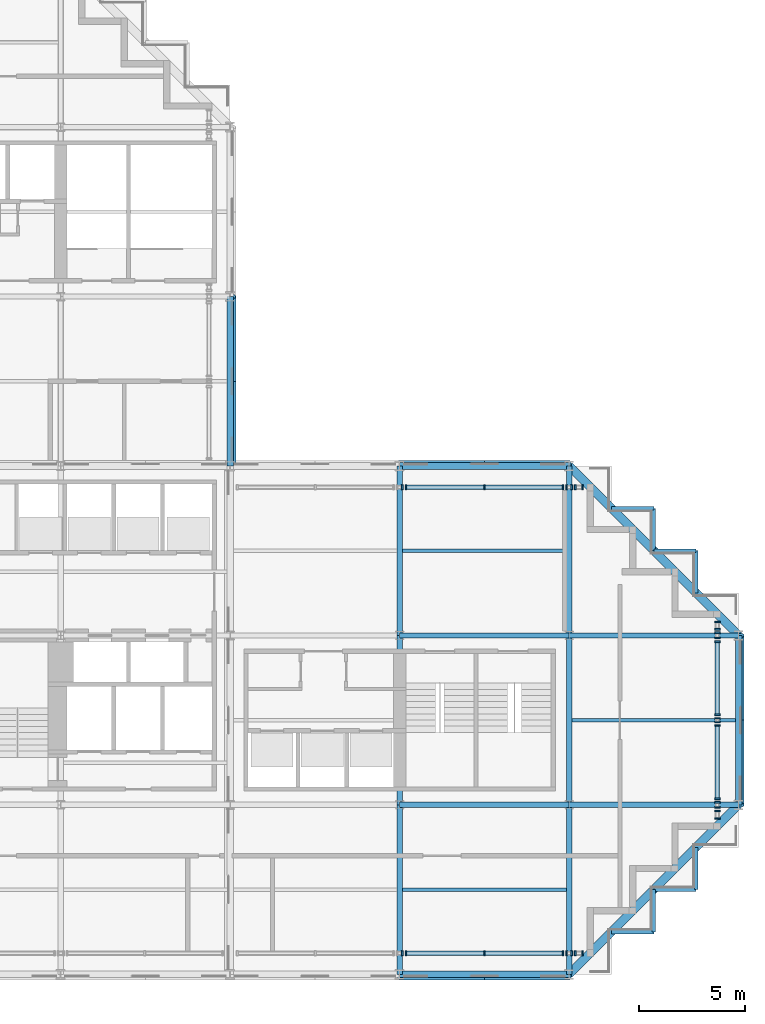
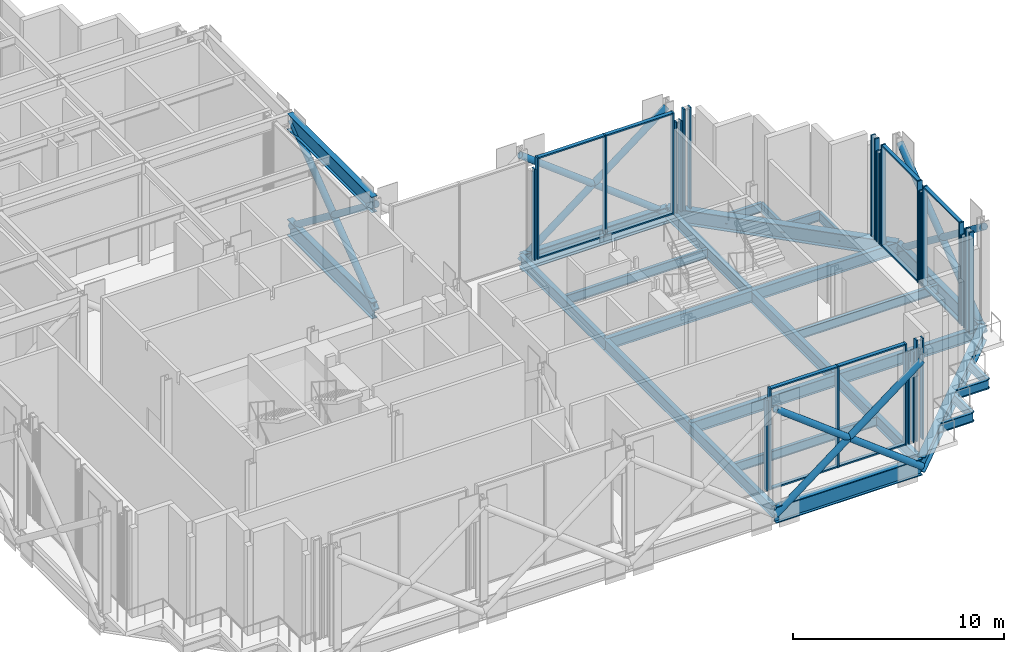
# One storey, part 4 of 23: 50 members, 28 beams, 15 elements without a shape of their own.
"""IFC4 building model written with IfcOpenShell, lengths in metres."""

from ifc_helpers import new_model, si_unit, direction, frame, origin, origin_2d, place, context, subcontext, project, spatial, rectangle, hollow_circle, i_section, extrude, material, material_profile, profile_set, type_object, element, aggregate, save


model = new_model("IFC4")

# Units and contexts
model_context = context("Model", 3, precision=1e-05, world=origin(), true_north=direction((0.0, 1.0)))
body_context = subcontext(model_context, "Body", "Model", "MODEL_VIEW")
ifc_project = project(units=[si_unit("LENGTHUNIT", "METRE"), si_unit("AREAUNIT", "SQUARE_METRE"), si_unit("VOLUMEUNIT", "CUBIC_METRE"), si_unit("PLANEANGLEUNIT", "RADIAN"), si_unit("MASSUNIT", "GRAM", prefix="KILO")], contexts=[model_context])

# Site, building, storey
site_placement = place(None, origin())
site = spatial("IfcSite", under=ifc_project, at=site_placement, CompositionType="ELEMENT")
building_placement = place(site_placement, origin())
building = spatial("IfcBuilding", under=site, at=building_placement, Name="Immortelle Media Tower", CompositionType="ELEMENT")
storey_placement = place(building_placement, frame((0.0, 0.0, 183.0)))
storey = spatial("IfcBuildingStorey", under=building, at=storey_placement, Name="L38", CompositionType="ELEMENT", Elevation=183.0)

# Members
ifc_material_1 = material(Name="Steel ASTM A500 Gr C", Category="steel")
ifc_material_profile_1 = material_profile(ifc_material_1, hollow_circle(Radius=0.177978515625, WallThickness=0.011962890625, at=origin_2d()), Name="HSS14.000x0.500 truss diagonal")
ifc_profile_set_1 = profile_set([ifc_material_profile_1], Name="Steel ASTM A500 Gr C")
member_type_1 = type_object("IfcMemberType", Name="HSS14.000x0.500 truss diagonal", PredefinedType="BRACE", material=ifc_profile_set_1)
for number, where, z_axis, x_axis, name in (
    (1, (24.087890625, 24.0, -0.72509765625), (0.0, 0.794333061913, 0.607482499132), (-1.0, 0.0, 0.0), "Belt truss 4/D-E A"),
    (2, (24.087890625, 24.0, 5.39306640625), (0.0, 0.794333061913, -0.607482499132), (-1.0, 0.0, 0.0), "Belt truss 4/D-E B"),
    (3, (32.0, -0.087890625, -0.72509765625), (0.794333061913, 0.0, 0.607482499132), (0.0, 1.0, 0.0), "Belt truss A/5-6 A"),
    (4, (32.0, -0.087890625, 5.39306640625), (0.794333061913, 0.0, -0.607482499132), (0.0, 1.0, 0.0), "Belt truss A/5-6 B"),
    (5, (32.0, 24.087890625, -0.72509765625), (0.794333061913, 0.0, 0.607482499132), (0.0, 1.0, 0.0), "Belt truss D/5-6 A"),
    (6, (32.0, 24.087890625, 5.39306640625), (0.794333061913, 0.0, -0.607482499132), (0.0, 1.0, 0.0), "Belt truss D/5-6 B"),
    (7, (48.087890625, 8.0, -0.72509765625), (0.0, 0.794333061913, 0.607482499132), (-1.0, 0.0, 0.0), "Belt truss 7/B-C A"),
    (8, (48.087890625, 8.0, 5.39306640625), (0.0, 0.794333061913, -0.607482499132), (-1.0, 0.0, 0.0), "Belt truss 7/B-C B"),
):
    element("IfcMember", number, at=place(storey_placement, frame(where, z_axis=z_axis, x_axis=x_axis)), inside=storey, type_object=member_type_1, Name=name, PredefinedType="BRACE", context=body_context, shape_type="SweptSolid", body=[
        extrude(hollow_circle(Radius=0.177978515625, WallThickness=0.011962890625, at=origin_2d()), origin(), (0.0, 0.0, 1.0), 10.0712890625),
    ])

# Curtain wall, member
ifc_material_2 = material(Name="Aluminium curtain wall system", Category="aluminium")
curtain_wall_type = type_object("IfcCurtainWallType", Name="Plant louvre wall curtain wall", PredefinedType="NOTDEFINED", material=ifc_material_2)
curtain_wall_1_placement = place(storey_placement, origin())
curtain_wall_1 = element("IfcCurtainWall", 9, at=curtain_wall_1_placement, inside=storey, type_object=curtain_wall_type, Name="Plant louvre wall L38 S 7-8", PredefinedType="NOTDEFINED")
ifc_material_3 = material(Name="Aluminium 6063-T6", Category="aluminium")
ifc_material_profile_2 = material_profile(ifc_material_3, rectangle(XDim=0.25, YDim=0.080078125, at=origin_2d()), Name="AL 80x250")
ifc_profile_set_2 = profile_set([ifc_material_profile_2], Name="Aluminium 6063-T6")
member_type_2 = type_object("IfcMemberType", Name="Plant louvre wall mullion 80 x 250", PredefinedType="MULLION", material=ifc_profile_set_2)
member_1_placement = place(storey_placement, frame((32.1240234375, 1.0, 0.0), z_axis=(0.0, 0.0, 1.0), x_axis=(0.0, 1.0, 0.0)))
member_1 = element("IfcMember", 10, at=member_1_placement, type_object=member_type_2, Name="CW6 mullion 2", PredefinedType="MULLION", context=body_context, shape_type="SweptSolid", body=[
    extrude(rectangle(XDim=0.25, YDim=0.080078125, at=origin_2d()), origin(), (0.0, 0.0, 1.0), 5.24755859375),
])
aggregate(curtain_wall_1, [member_1])

# Curtain wall, members
curtain_wall_2_placement = place(storey_placement, origin())
curtain_wall_2 = element("IfcCurtainWall", 11, at=curtain_wall_2_placement, inside=storey, type_object=curtain_wall_type, Name="Plant louvre wall L38 S 7-9", PredefinedType="NOTDEFINED")
member_2_placement = place(storey_placement, frame((32.2939453125, 1.0, 0.0), z_axis=(0.0, 0.0, 1.0), x_axis=(0.0, 1.0, 0.0)))
member_2 = element("IfcMember", 12, at=member_2_placement, type_object=member_type_2, Name="CW6 mullion 1", PredefinedType="MULLION", context=body_context, shape_type="SweptSolid", body=[
    extrude(rectangle(XDim=0.25, YDim=0.080078125, at=origin_2d()), origin(), (0.0, 0.0, 1.0), 5.849609375),
])
member_3_placement = place(storey_placement, frame((36.0, 1.0, 0.0), z_axis=(0.0, 0.0, 1.0), x_axis=(0.0, 1.0, 0.0)))
member_3 = element("IfcMember", 13, at=member_3_placement, type_object=member_type_2, Name="CW6 mullion 2", PredefinedType="MULLION", context=body_context, shape_type="SweptSolid", body=[
    extrude(rectangle(XDim=0.25, YDim=0.080078125, at=origin_2d()), origin(), (0.0, 0.0, 1.0), 5.849609375),
])
member_4_placement = place(storey_placement, frame((39.7060546875, 1.0, 0.0), z_axis=(0.0, 0.0, 1.0), x_axis=(0.0, 1.0, 0.0)))
member_4 = element("IfcMember", 14, at=member_4_placement, type_object=member_type_2, Name="CW6 mullion 3", PredefinedType="MULLION", context=body_context, shape_type="SweptSolid", body=[
    extrude(rectangle(XDim=0.25, YDim=0.080078125, at=origin_2d()), origin(), (0.0, 0.0, 1.0), 5.849609375),
])

curtain_wall_3_placement = place(storey_placement, origin())
curtain_wall_3 = element("IfcCurtainWall", 15, at=curtain_wall_3_placement, inside=storey, type_object=curtain_wall_type, Name="Plant louvre wall L38 S 7-10", PredefinedType="NOTDEFINED")
member_5_placement = place(storey_placement, frame((39.8759765625, 1.0, 0.0), z_axis=(0.0, 0.0, 1.0), x_axis=(0.0, 1.0, 0.0)))
member_5 = element("IfcMember", 16, at=member_5_placement, type_object=member_type_2, Name="CW6 mullion 1", PredefinedType="MULLION", context=body_context, shape_type="SweptSolid", body=[
    extrude(rectangle(XDim=0.25, YDim=0.080078125, at=origin_2d()), origin(), (0.0, 0.0, 1.0), 5.24755859375),
])
member_6_placement = place(storey_placement, frame((40.1240234375, 1.0, 0.0), z_axis=(0.0, 0.0, 1.0), x_axis=(0.0, 1.0, 0.0)))
member_6 = element("IfcMember", 17, at=member_6_placement, type_object=member_type_2, Name="CW6 mullion 2", PredefinedType="MULLION", context=body_context, shape_type="SweptSolid", body=[
    extrude(rectangle(XDim=0.25, YDim=0.080078125, at=origin_2d()), origin(), (0.0, 0.0, 1.0), 5.24755859375),
])
aggregate(curtain_wall_3, [member_5, member_6])

curtain_wall_4_placement = place(storey_placement, origin())
curtain_wall_4 = element("IfcCurtainWall", 18, at=curtain_wall_4_placement, inside=storey, type_object=curtain_wall_type, Name="Plant louvre wall L38 S 7-11", PredefinedType="NOTDEFINED")
member_7_placement = place(storey_placement, frame((40.2939453125, 1.0, 0.0), z_axis=(0.0, 0.0, 1.0), x_axis=(0.0, 1.0, 0.0)))
member_7 = element("IfcMember", 19, at=member_7_placement, type_object=member_type_2, Name="CW6 mullion 1", PredefinedType="MULLION", context=body_context, shape_type="SweptSolid", body=[
    extrude(rectangle(XDim=0.25, YDim=0.080078125, at=origin_2d()), origin(), (0.0, 0.0, 1.0), 5.849609375),
])
member_8_placement = place(storey_placement, frame((40.63818359375, 1.0, 0.0), z_axis=(0.0, 0.0, 1.0), x_axis=(0.0, 1.0, 0.0)))
member_8 = element("IfcMember", 20, at=member_8_placement, type_object=member_type_2, Name="CW6 mullion 2", PredefinedType="MULLION", context=body_context, shape_type="SweptSolid", body=[
    extrude(rectangle(XDim=0.25, YDim=0.080078125, at=origin_2d()), origin(), (0.0, 0.0, 1.0), 5.849609375),
])
aggregate(curtain_wall_4, [member_7, member_8])

curtain_wall_5_placement = place(storey_placement, origin())
curtain_wall_5 = element("IfcCurtainWall", 21, at=curtain_wall_5_placement, inside=storey, type_object=curtain_wall_type, Name="Plant louvre wall L38 E 14-2", PredefinedType="NOTDEFINED")
member_9_placement = place(storey_placement, frame((47.0, 7.36181640625, 0.0), z_axis=(0.0, 0.0, 1.0), x_axis=(-1.0, 0.0, 0.0)))
member_9 = element("IfcMember", 22, at=member_9_placement, type_object=member_type_2, Name="CW6 mullion 1", PredefinedType="MULLION", context=body_context, shape_type="SweptSolid", body=[
    extrude(rectangle(XDim=0.25, YDim=0.080078125, at=origin_2d()), origin(), (0.0, 0.0, 1.0), 5.849609375),
])
member_10_placement = place(storey_placement, frame((47.0, 7.7060546875, 0.0), z_axis=(0.0, 0.0, 1.0), x_axis=(-1.0, 0.0, 0.0)))
member_10 = element("IfcMember", 23, at=member_10_placement, type_object=member_type_2, Name="CW6 mullion 2", PredefinedType="MULLION", context=body_context, shape_type="SweptSolid", body=[
    extrude(rectangle(XDim=0.25, YDim=0.080078125, at=origin_2d()), origin(), (0.0, 0.0, 1.0), 5.849609375),
])
aggregate(curtain_wall_5, [member_9, member_10])

curtain_wall_6_placement = place(storey_placement, origin())
curtain_wall_6 = element("IfcCurtainWall", 24, at=curtain_wall_6_placement, inside=storey, type_object=curtain_wall_type, Name="Plant louvre wall L38 E 14-3", PredefinedType="NOTDEFINED")
member_11_placement = place(storey_placement, frame((47.0, 7.8759765625, 0.0), z_axis=(0.0, 0.0, 1.0), x_axis=(-1.0, 0.0, 0.0)))
member_11 = element("IfcMember", 25, at=member_11_placement, type_object=member_type_2, Name="CW6 mullion 1", PredefinedType="MULLION", context=body_context, shape_type="SweptSolid", body=[
    extrude(rectangle(XDim=0.25, YDim=0.080078125, at=origin_2d()), origin(), (0.0, 0.0, 1.0), 5.24755859375),
])
member_12_placement = place(storey_placement, frame((47.0, 8.1240234375, 0.0), z_axis=(0.0, 0.0, 1.0), x_axis=(-1.0, 0.0, 0.0)))
member_12 = element("IfcMember", 26, at=member_12_placement, type_object=member_type_2, Name="CW6 mullion 2", PredefinedType="MULLION", context=body_context, shape_type="SweptSolid", body=[
    extrude(rectangle(XDim=0.25, YDim=0.080078125, at=origin_2d()), origin(), (0.0, 0.0, 1.0), 5.24755859375),
])
aggregate(curtain_wall_6, [member_11, member_12])

curtain_wall_7_placement = place(storey_placement, origin())
curtain_wall_7 = element("IfcCurtainWall", 27, at=curtain_wall_7_placement, inside=storey, type_object=curtain_wall_type, Name="Plant louvre wall L38 E 14-4", PredefinedType="NOTDEFINED")
member_13_placement = place(storey_placement, frame((47.0, 8.2939453125, 0.0), z_axis=(0.0, 0.0, 1.0), x_axis=(-1.0, 0.0, 0.0)))
member_13 = element("IfcMember", 28, at=member_13_placement, type_object=member_type_2, Name="CW6 mullion 1", PredefinedType="MULLION", context=body_context, shape_type="SweptSolid", body=[
    extrude(rectangle(XDim=0.25, YDim=0.080078125, at=origin_2d()), origin(), (0.0, 0.0, 1.0), 5.849609375),
])
member_14_placement = place(storey_placement, frame((47.0, 11.743408203125, 0.0), z_axis=(0.0, 0.0, 1.0), x_axis=(-1.0, 0.0, 0.0)))
member_14 = element("IfcMember", 29, at=member_14_placement, type_object=member_type_2, Name="CW6 mullion 2", PredefinedType="MULLION", context=body_context, shape_type="SweptSolid", body=[
    extrude(rectangle(XDim=0.25, YDim=0.080078125, at=origin_2d()), origin(), (0.0, 0.0, 1.0), 5.849609375),
])

curtain_wall_8_placement = place(storey_placement, origin())
curtain_wall_8 = element("IfcCurtainWall", 30, at=curtain_wall_8_placement, inside=storey, type_object=curtain_wall_type, Name="Plant louvre wall L38 E 14-5", PredefinedType="NOTDEFINED")
member_15_placement = place(storey_placement, frame((47.0, 11.91357421875, 0.0), z_axis=(0.0, 0.0, 1.0), x_axis=(-1.0, 0.0, 0.0)))
member_15 = element("IfcMember", 31, at=member_15_placement, type_object=member_type_2, Name="CW6 mullion 1", PredefinedType="MULLION", context=body_context, shape_type="SweptSolid", body=[
    extrude(rectangle(XDim=0.25, YDim=0.080078125, at=origin_2d()), origin(), (0.0, 0.0, 1.0), 5.39453125),
])
member_16_placement = place(storey_placement, frame((47.0, 12.08642578125, 0.0), z_axis=(0.0, 0.0, 1.0), x_axis=(-1.0, 0.0, 0.0)))
member_16 = element("IfcMember", 32, at=member_16_placement, type_object=member_type_2, Name="CW6 mullion 2", PredefinedType="MULLION", context=body_context, shape_type="SweptSolid", body=[
    extrude(rectangle(XDim=0.25, YDim=0.080078125, at=origin_2d()), origin(), (0.0, 0.0, 1.0), 5.39453125),
])
aggregate(curtain_wall_8, [member_15, member_16])

curtain_wall_9_placement = place(storey_placement, origin())
curtain_wall_9 = element("IfcCurtainWall", 33, at=curtain_wall_9_placement, inside=storey, type_object=curtain_wall_type, Name="Plant louvre wall L38 E 14-6", PredefinedType="NOTDEFINED")
member_17_placement = place(storey_placement, frame((47.0, 12.256591796875, 0.0), z_axis=(0.0, 0.0, 1.0), x_axis=(-1.0, 0.0, 0.0)))
member_17 = element("IfcMember", 34, at=member_17_placement, type_object=member_type_2, Name="CW6 mullion 1", PredefinedType="MULLION", context=body_context, shape_type="SweptSolid", body=[
    extrude(rectangle(XDim=0.25, YDim=0.080078125, at=origin_2d()), origin(), (0.0, 0.0, 1.0), 5.849609375),
])
member_18_placement = place(storey_placement, frame((47.0, 15.7060546875, 0.0), z_axis=(0.0, 0.0, 1.0), x_axis=(-1.0, 0.0, 0.0)))
member_18 = element("IfcMember", 35, at=member_18_placement, type_object=member_type_2, Name="CW6 mullion 2", PredefinedType="MULLION", context=body_context, shape_type="SweptSolid", body=[
    extrude(rectangle(XDim=0.25, YDim=0.080078125, at=origin_2d()), origin(), (0.0, 0.0, 1.0), 5.849609375),
])

curtain_wall_10_placement = place(storey_placement, origin())
curtain_wall_10 = element("IfcCurtainWall", 36, at=curtain_wall_10_placement, inside=storey, type_object=curtain_wall_type, Name="Plant louvre wall L38 E 14-7", PredefinedType="NOTDEFINED")
member_19_placement = place(storey_placement, frame((47.0, 15.8759765625, 0.0), z_axis=(0.0, 0.0, 1.0), x_axis=(-1.0, 0.0, 0.0)))
member_19 = element("IfcMember", 37, at=member_19_placement, type_object=member_type_2, Name="CW6 mullion 1", PredefinedType="MULLION", context=body_context, shape_type="SweptSolid", body=[
    extrude(rectangle(XDim=0.25, YDim=0.080078125, at=origin_2d()), origin(), (0.0, 0.0, 1.0), 5.24755859375),
])
member_20_placement = place(storey_placement, frame((47.0, 16.1240234375, 0.0), z_axis=(0.0, 0.0, 1.0), x_axis=(-1.0, 0.0, 0.0)))
member_20 = element("IfcMember", 38, at=member_20_placement, type_object=member_type_2, Name="CW6 mullion 2", PredefinedType="MULLION", context=body_context, shape_type="SweptSolid", body=[
    extrude(rectangle(XDim=0.25, YDim=0.080078125, at=origin_2d()), origin(), (0.0, 0.0, 1.0), 5.24755859375),
])
aggregate(curtain_wall_10, [member_19, member_20])

curtain_wall_11_placement = place(storey_placement, origin())
curtain_wall_11 = element("IfcCurtainWall", 39, at=curtain_wall_11_placement, inside=storey, type_object=curtain_wall_type, Name="Plant louvre wall L38 E 14-8", PredefinedType="NOTDEFINED")
member_21_placement = place(storey_placement, frame((47.0, 16.2939453125, 0.0), z_axis=(0.0, 0.0, 1.0), x_axis=(-1.0, 0.0, 0.0)))
member_21 = element("IfcMember", 40, at=member_21_placement, type_object=member_type_2, Name="CW6 mullion 1", PredefinedType="MULLION", context=body_context, shape_type="SweptSolid", body=[
    extrude(rectangle(XDim=0.25, YDim=0.080078125, at=origin_2d()), origin(), (0.0, 0.0, 1.0), 5.849609375),
])
member_22_placement = place(storey_placement, frame((47.0, 16.63818359375, 0.0), z_axis=(0.0, 0.0, 1.0), x_axis=(-1.0, 0.0, 0.0)))
member_22 = element("IfcMember", 41, at=member_22_placement, type_object=member_type_2, Name="CW6 mullion 2", PredefinedType="MULLION", context=body_context, shape_type="SweptSolid", body=[
    extrude(rectangle(XDim=0.25, YDim=0.080078125, at=origin_2d()), origin(), (0.0, 0.0, 1.0), 5.849609375),
])
aggregate(curtain_wall_11, [member_21, member_22])

curtain_wall_12_placement = place(storey_placement, origin())
curtain_wall_12 = element("IfcCurtainWall", 42, at=curtain_wall_12_placement, inside=storey, type_object=curtain_wall_type, Name="Plant louvre wall L38 N 21-2", PredefinedType="NOTDEFINED")
member_23_placement = place(storey_placement, frame((40.63818359375, 23.0, 0.0), z_axis=(0.0, 0.0, 1.0), x_axis=(0.0, -1.0, 0.0)))
member_23 = element("IfcMember", 43, at=member_23_placement, type_object=member_type_2, Name="CW6 mullion 1", PredefinedType="MULLION", context=body_context, shape_type="SweptSolid", body=[
    extrude(rectangle(XDim=0.25, YDim=0.080078125, at=origin_2d()), origin(), (0.0, 0.0, 1.0), 5.849609375),
])
member_24_placement = place(storey_placement, frame((40.2939453125, 23.0, 0.0), z_axis=(0.0, 0.0, 1.0), x_axis=(0.0, -1.0, 0.0)))
member_24 = element("IfcMember", 44, at=member_24_placement, type_object=member_type_2, Name="CW6 mullion 2", PredefinedType="MULLION", context=body_context, shape_type="SweptSolid", body=[
    extrude(rectangle(XDim=0.25, YDim=0.080078125, at=origin_2d()), origin(), (0.0, 0.0, 1.0), 5.849609375),
])
aggregate(curtain_wall_12, [member_23, member_24])

curtain_wall_13_placement = place(storey_placement, origin())
curtain_wall_13 = element("IfcCurtainWall", 45, at=curtain_wall_13_placement, inside=storey, type_object=curtain_wall_type, Name="Plant louvre wall L38 N 21-3", PredefinedType="NOTDEFINED")
member_25_placement = place(storey_placement, frame((40.1240234375, 23.0, 0.0), z_axis=(0.0, 0.0, 1.0), x_axis=(0.0, -1.0, 0.0)))
member_25 = element("IfcMember", 46, at=member_25_placement, type_object=member_type_2, Name="CW6 mullion 1", PredefinedType="MULLION", context=body_context, shape_type="SweptSolid", body=[
    extrude(rectangle(XDim=0.25, YDim=0.080078125, at=origin_2d()), origin(), (0.0, 0.0, 1.0), 5.24755859375),
])
member_26_placement = place(storey_placement, frame((39.8759765625, 23.0, 0.0), z_axis=(0.0, 0.0, 1.0), x_axis=(0.0, -1.0, 0.0)))
member_26 = element("IfcMember", 47, at=member_26_placement, type_object=member_type_2, Name="CW6 mullion 2", PredefinedType="MULLION", context=body_context, shape_type="SweptSolid", body=[
    extrude(rectangle(XDim=0.25, YDim=0.080078125, at=origin_2d()), origin(), (0.0, 0.0, 1.0), 5.24755859375),
])
aggregate(curtain_wall_13, [member_25, member_26])

curtain_wall_14_placement = place(storey_placement, origin())
curtain_wall_14 = element("IfcCurtainWall", 48, at=curtain_wall_14_placement, inside=storey, type_object=curtain_wall_type, Name="Plant louvre wall L38 N 21-4", PredefinedType="NOTDEFINED")
member_27_placement = place(storey_placement, frame((39.7060546875, 23.0, 0.0), z_axis=(0.0, 0.0, 1.0), x_axis=(0.0, -1.0, 0.0)))
member_27 = element("IfcMember", 49, at=member_27_placement, type_object=member_type_2, Name="CW6 mullion 1", PredefinedType="MULLION", context=body_context, shape_type="SweptSolid", body=[
    extrude(rectangle(XDim=0.25, YDim=0.080078125, at=origin_2d()), origin(), (0.0, 0.0, 1.0), 5.849609375),
])
member_28_placement = place(storey_placement, frame((36.0, 23.0, 0.0), z_axis=(0.0, 0.0, 1.0), x_axis=(0.0, -1.0, 0.0)))
member_28 = element("IfcMember", 50, at=member_28_placement, type_object=member_type_2, Name="CW6 mullion 2", PredefinedType="MULLION", context=body_context, shape_type="SweptSolid", body=[
    extrude(rectangle(XDim=0.25, YDim=0.080078125, at=origin_2d()), origin(), (0.0, 0.0, 1.0), 5.849609375),
])
member_29_placement = place(storey_placement, frame((32.2939453125, 23.0, 0.0), z_axis=(0.0, 0.0, 1.0), x_axis=(0.0, -1.0, 0.0)))
member_29 = element("IfcMember", 51, at=member_29_placement, type_object=member_type_2, Name="CW6 mullion 3", PredefinedType="MULLION", context=body_context, shape_type="SweptSolid", body=[
    extrude(rectangle(XDim=0.25, YDim=0.080078125, at=origin_2d()), origin(), (0.0, 0.0, 1.0), 5.849609375),
])

# Curtain wall, member
curtain_wall_15_placement = place(storey_placement, origin())
curtain_wall_15 = element("IfcCurtainWall", 52, at=curtain_wall_15_placement, inside=storey, type_object=curtain_wall_type, Name="Plant louvre wall L38 N 21-5", PredefinedType="NOTDEFINED")
member_30_placement = place(storey_placement, frame((32.1240234375, 23.0, 0.0), z_axis=(0.0, 0.0, 1.0), x_axis=(0.0, -1.0, 0.0)))
member_30 = element("IfcMember", 53, at=member_30_placement, type_object=member_type_2, Name="CW6 mullion 1", PredefinedType="MULLION", context=body_context, shape_type="SweptSolid", body=[
    extrude(rectangle(XDim=0.25, YDim=0.080078125, at=origin_2d()), origin(), (0.0, 0.0, 1.0), 5.24755859375),
])
aggregate(curtain_wall_15, [member_30])

# Member
ifc_material_profile_3 = material_profile(ifc_material_3, rectangle(XDim=0.199951171875, YDim=0.080078125, at=origin_2d()), Name="AL 80x200")
ifc_profile_set_3 = profile_set([ifc_material_profile_3], Name="Aluminium 6063-T6")
member_type_3 = type_object("IfcMemberType", Name="Plant louvre wall transom 80 x 200", PredefinedType="USERDEFINED", material=ifc_profile_set_3)
member_31_placement = place(storey_placement, frame((32.333984375, 1.0, 0.0400390625), z_axis=(1.0, 0.0, 0.0), x_axis=(0.0, 1.0, 0.0)))
member_31 = element("IfcMember", 54, at=member_31_placement, type_object=member_type_3, Name="CW6 transom 1.1", ObjectType="TRANSOM", PredefinedType="USERDEFINED", context=body_context, shape_type="SweptSolid", body=[
    extrude(rectangle(XDim=0.199951171875, YDim=0.080078125, at=origin_2d()), origin(), (0.0, 0.0, 1.0), 3.6259765625),
])

member_32_placement = place(storey_placement, frame((32.333984375, 1.0, 5.8095703125), z_axis=(1.0, 0.0, 0.0), x_axis=(0.0, 1.0, 0.0)))
member_32 = element("IfcMember", 55, at=member_32_placement, type_object=member_type_3, Name="CW6 transom 1.2", ObjectType="TRANSOM", PredefinedType="USERDEFINED", context=body_context, shape_type="SweptSolid", body=[
    extrude(rectangle(XDim=0.199951171875, YDim=0.080078125, at=origin_2d()), origin(), (0.0, 0.0, 1.0), 3.6259765625),
])

member_33_placement = place(storey_placement, frame((36.0400390625, 1.0, 0.0400390625), z_axis=(1.0, 0.0, 0.0), x_axis=(0.0, 1.0, 0.0)))
member_33 = element("IfcMember", 56, at=member_33_placement, type_object=member_type_3, Name="CW6 transom 2.1", ObjectType="TRANSOM", PredefinedType="USERDEFINED", context=body_context, shape_type="SweptSolid", body=[
    extrude(rectangle(XDim=0.199951171875, YDim=0.080078125, at=origin_2d()), origin(), (0.0, 0.0, 1.0), 3.6259765625),
])

member_34_placement = place(storey_placement, frame((36.0400390625, 1.0, 5.8095703125), z_axis=(1.0, 0.0, 0.0), x_axis=(0.0, 1.0, 0.0)))
member_34 = element("IfcMember", 57, at=member_34_placement, type_object=member_type_3, Name="CW6 transom 2.2", ObjectType="TRANSOM", PredefinedType="USERDEFINED", context=body_context, shape_type="SweptSolid", body=[
    extrude(rectangle(XDim=0.199951171875, YDim=0.080078125, at=origin_2d()), origin(), (0.0, 0.0, 1.0), 3.6259765625),
])

aggregate(curtain_wall_2, [member_2, member_3, member_4, member_31, member_32, member_33, member_34])

member_35_placement = place(storey_placement, frame((47.0, 8.333984375, 0.0400390625), z_axis=(0.0, 1.0, 0.0), x_axis=(-1.0, 0.0, 0.0)))
member_35 = element("IfcMember", 58, at=member_35_placement, type_object=member_type_3, Name="CW6 transom 1.1", ObjectType="TRANSOM", PredefinedType="USERDEFINED", context=body_context, shape_type="SweptSolid", body=[
    extrude(rectangle(XDim=0.199951171875, YDim=0.080078125, at=origin_2d()), origin(), (0.0, 0.0, 1.0), 3.36962890625),
])

member_36_placement = place(storey_placement, frame((47.0, 8.333984375, 5.8095703125), z_axis=(0.0, 1.0, 0.0), x_axis=(-1.0, 0.0, 0.0)))
member_36 = element("IfcMember", 59, at=member_36_placement, type_object=member_type_3, Name="CW6 transom 1.2", ObjectType="TRANSOM", PredefinedType="USERDEFINED", context=body_context, shape_type="SweptSolid", body=[
    extrude(rectangle(XDim=0.199951171875, YDim=0.080078125, at=origin_2d()), origin(), (0.0, 0.0, 1.0), 3.36962890625),
])

aggregate(curtain_wall_7, [member_13, member_14, member_35, member_36])

member_37_placement = place(storey_placement, frame((47.0, 12.29638671875, 0.0400390625), z_axis=(0.0, 1.0, 0.0), x_axis=(-1.0, 0.0, 0.0)))
member_37 = element("IfcMember", 60, at=member_37_placement, type_object=member_type_3, Name="CW6 transom 1.1", ObjectType="TRANSOM", PredefinedType="USERDEFINED", context=body_context, shape_type="SweptSolid", body=[
    extrude(rectangle(XDim=0.199951171875, YDim=0.080078125, at=origin_2d()), origin(), (0.0, 0.0, 1.0), 3.36962890625),
])

member_38_placement = place(storey_placement, frame((47.0, 12.29638671875, 5.8095703125), z_axis=(0.0, 1.0, 0.0), x_axis=(-1.0, 0.0, 0.0)))
member_38 = element("IfcMember", 61, at=member_38_placement, type_object=member_type_3, Name="CW6 transom 1.2", ObjectType="TRANSOM", PredefinedType="USERDEFINED", context=body_context, shape_type="SweptSolid", body=[
    extrude(rectangle(XDim=0.199951171875, YDim=0.080078125, at=origin_2d()), origin(), (0.0, 0.0, 1.0), 3.36962890625),
])

aggregate(curtain_wall_9, [member_17, member_18, member_37, member_38])

member_39_placement = place(storey_placement, frame((39.666015625, 23.0, 0.0400390625), z_axis=(-1.0, 0.0, 0.0), x_axis=(0.0, -1.0, 0.0)))
member_39 = element("IfcMember", 62, at=member_39_placement, type_object=member_type_3, Name="CW6 transom 1.1", ObjectType="TRANSOM", PredefinedType="USERDEFINED", context=body_context, shape_type="SweptSolid", body=[
    extrude(rectangle(XDim=0.199951171875, YDim=0.080078125, at=origin_2d()), origin(), (0.0, 0.0, 1.0), 3.6259765625),
])

member_40_placement = place(storey_placement, frame((39.666015625, 23.0, 5.8095703125), z_axis=(-1.0, 0.0, 0.0), x_axis=(0.0, -1.0, 0.0)))
member_40 = element("IfcMember", 63, at=member_40_placement, type_object=member_type_3, Name="CW6 transom 1.2", ObjectType="TRANSOM", PredefinedType="USERDEFINED", context=body_context, shape_type="SweptSolid", body=[
    extrude(rectangle(XDim=0.199951171875, YDim=0.080078125, at=origin_2d()), origin(), (0.0, 0.0, 1.0), 3.6259765625),
])

member_41_placement = place(storey_placement, frame((35.9599609375, 23.0, 0.0400390625), z_axis=(-1.0, 0.0, 0.0), x_axis=(0.0, -1.0, 0.0)))
member_41 = element("IfcMember", 64, at=member_41_placement, type_object=member_type_3, Name="CW6 transom 2.1", ObjectType="TRANSOM", PredefinedType="USERDEFINED", context=body_context, shape_type="SweptSolid", body=[
    extrude(rectangle(XDim=0.199951171875, YDim=0.080078125, at=origin_2d()), origin(), (0.0, 0.0, 1.0), 3.6259765625),
])

member_42_placement = place(storey_placement, frame((35.9599609375, 23.0, 5.8095703125), z_axis=(-1.0, 0.0, 0.0), x_axis=(0.0, -1.0, 0.0)))
member_42 = element("IfcMember", 65, at=member_42_placement, type_object=member_type_3, Name="CW6 transom 2.2", ObjectType="TRANSOM", PredefinedType="USERDEFINED", context=body_context, shape_type="SweptSolid", body=[
    extrude(rectangle(XDim=0.199951171875, YDim=0.080078125, at=origin_2d()), origin(), (0.0, 0.0, 1.0), 3.6259765625),
])

aggregate(curtain_wall_14, [member_27, member_28, member_29, member_39, member_40, member_41, member_42])

# Beams
ifc_material_4 = material(Name="Steel ASTM A992 Gr 50", Category="steel")
ifc_material_profile_4 = material_profile(ifc_material_4, i_section(OverallWidth=0.1669921875, OverallDepth=0.535888671875, WebThickness=0.010009765625, FlangeThickness=0.01708984375, at=origin_2d()), Name="W21x57")
ifc_profile_set_4 = profile_set([ifc_material_profile_4], Name="Steel ASTM A992 Gr 50")
beam_type_1 = type_object("IfcBeamType", Name="W21x57 secondary beam", PredefinedType="JOIST", material=ifc_profile_set_4)
beam_1_placement = place(storey_placement, frame((32.12646484375, 4.0, -0.51806640625), z_axis=(1.0, 0.0, 0.0), x_axis=(0.0, 1.0, 0.0)))
element("IfcBeam", 66, at=beam_1_placement, inside=storey, type_object=beam_type_1, Name="Beam A-B/5-6", PredefinedType="JOIST", context=body_context, shape_type="SweptSolid", body=[
    extrude(i_section(OverallWidth=0.1669921875, OverallDepth=0.535888671875, WebThickness=0.010009765625, FlangeThickness=0.01708984375, at=origin_2d()), origin(), (0.0, 0.0, 1.0), 7.7470703125),
])
beam_2_placement = place(storey_placement, frame((40.12646484375, 12.0, -0.51806640625), z_axis=(1.0, 0.0, 0.0), x_axis=(0.0, 1.0, 0.0)))
element("IfcBeam", 67, at=beam_2_placement, inside=storey, type_object=beam_type_1, Name="Beam B-C/6-7", PredefinedType="JOIST", context=body_context, shape_type="SweptSolid", body=[
    extrude(i_section(OverallWidth=0.1669921875, OverallDepth=0.535888671875, WebThickness=0.010009765625, FlangeThickness=0.01708984375, at=origin_2d()), origin(), (0.0, 0.0, 1.0), 7.718505859375),
])
beam_3_placement = place(storey_placement, frame((32.12646484375, 20.0, -0.51806640625), z_axis=(1.0, 0.0, 0.0), x_axis=(0.0, 1.0, 0.0)))
element("IfcBeam", 68, at=beam_3_placement, inside=storey, type_object=beam_type_1, Name="Beam C-D/5-6", PredefinedType="JOIST", context=body_context, shape_type="SweptSolid", body=[
    extrude(i_section(OverallWidth=0.1669921875, OverallDepth=0.535888671875, WebThickness=0.010009765625, FlangeThickness=0.01708984375, at=origin_2d()), origin(), (0.0, 0.0, 1.0), 7.7470703125),
])
ifc_material_profile_5 = material_profile(ifc_material_4, i_section(OverallWidth=0.1669921875, OverallDepth=0.535888671875, WebThickness=0.010009765625, FlangeThickness=0.01708984375, at=origin_2d()), Name="W21x57")
ifc_profile_set_5 = profile_set([ifc_material_profile_5], Name="Steel ASTM A992 Gr 50")
beam_type_2 = type_object("IfcBeamType", Name="W21x57 serration edge beam", PredefinedType="SPANDREL", material=ifc_profile_set_5)
for number, where, z_axis, x_axis, name in (
    (69, (46.0, 6.0, -0.51806640625), (0.0, -1.0, 0.0), (1.0, 0.0, 0.0), "Corner edge beam 1 at 7/A"),
    (70, (46.0, 4.0, -0.51806640625), (-1.0, 0.0, 0.0), (0.0, -1.0, 0.0), "Corner edge beam 2 at 7/A"),
    (71, (44.0, 4.0, -0.51806640625), (0.0, -1.0, 0.0), (1.0, 0.0, 0.0), "Corner edge beam 3 at 7/A"),
    (72, (44.0, 2.0, -0.51806640625), (-1.0, 0.0, 0.0), (0.0, -1.0, 0.0), "Corner edge beam 4 at 7/A"),
    (73, (42.0, 22.0, -0.51806640625), (1.0, 0.0, 0.0), (0.0, 1.0, 0.0), "Corner edge beam 1 at 7/D"),
    (74, (44.0, 22.0, -0.51806640625), (0.0, -1.0, 0.0), (1.0, 0.0, 0.0), "Corner edge beam 2 at 7/D"),
    (75, (44.0, 20.0, -0.51806640625), (1.0, 0.0, 0.0), (0.0, 1.0, 0.0), "Corner edge beam 3 at 7/D"),
    (76, (46.0, 20.0, -0.51806640625), (0.0, -1.0, 0.0), (1.0, 0.0, 0.0), "Corner edge beam 4 at 7/D"),
):
    element("IfcBeam", number, at=place(storey_placement, frame(where, z_axis=z_axis, x_axis=x_axis)), inside=storey, type_object=beam_type_2, Name=name, PredefinedType="SPANDREL", context=body_context, shape_type="SweptSolid", body=[
        extrude(i_section(OverallWidth=0.1669921875, OverallDepth=0.535888671875, WebThickness=0.010009765625, FlangeThickness=0.01708984375, at=origin_2d()), origin(), (0.0, 0.0, 1.0), 2.0),
    ])
ifc_material_profile_6 = material_profile(ifc_material_4, i_section(OverallWidth=0.2529296875, OverallDepth=0.677978515625, WebThickness=0.011962890625, FlangeThickness=0.01611328125, at=origin_2d()), Name="W27x84")
ifc_profile_set_6 = profile_set([ifc_material_profile_6], Name="Steel ASTM A992 Gr 50")
beam_type_3 = type_object("IfcBeamType", Name="W27x84 girder", PredefinedType="BEAM", material=ifc_profile_set_6)
for number, where, z_axis, x_axis, name in (
    (77, (32.0, 0.0, -0.589111328125), (0.0, 1.0, 0.0), (-1.0, 0.0, 0.0), "Girder 5/A-B"),
    (78, (32.0, 8.0, -0.589111328125), (1.0, 0.0, 0.0), (0.0, 1.0, 0.0), "Girder B/5-6"),
    (79, (32.0, 8.0, -0.589111328125), (0.0, 1.0, 0.0), (-1.0, 0.0, 0.0), "Girder 5/B-C"),
    (80, (32.0, 16.0, -0.589111328125), (1.0, 0.0, 0.0), (0.0, 1.0, 0.0), "Girder C/5-6"),
    (81, (32.0, 16.0, -0.589111328125), (0.0, 1.0, 0.0), (-1.0, 0.0, 0.0), "Girder 5/C-D"),
    (82, (40.0, 0.0, -0.589111328125), (0.0, 1.0, 0.0), (-1.0, 0.0, 0.0), "Girder 6/A-B"),
    (83, (40.0, 8.0, -0.589111328125), (1.0, 0.0, 0.0), (0.0, 1.0, 0.0), "Girder B/6-7"),
    (84, (40.0, 8.0, -0.589111328125), (0.0, 1.0, 0.0), (-1.0, 0.0, 0.0), "Girder 6/B-C"),
    (85, (40.0, 16.0, -0.589111328125), (1.0, 0.0, 0.0), (0.0, 1.0, 0.0), "Girder C/6-7"),
    (86, (40.0, 16.0, -0.589111328125), (0.0, 1.0, 0.0), (-1.0, 0.0, 0.0), "Girder 6/C-D"),
):
    element("IfcBeam", number, at=place(storey_placement, frame(where, z_axis=z_axis, x_axis=x_axis)), inside=storey, type_object=beam_type_3, Name=name, PredefinedType="BEAM", context=body_context, shape_type="SweptSolid", body=[
        extrude(i_section(OverallWidth=0.2529296875, OverallDepth=0.677978515625, WebThickness=0.011962890625, FlangeThickness=0.01611328125, at=origin_2d()), origin(), (0.0, 0.0, 1.0), 8.0),
    ])
ifc_material_profile_7 = material_profile(ifc_material_4, i_section(OverallWidth=0.40087890625, OverallDepth=0.861083984375, WebThickness=0.02001953125, FlangeThickness=0.029052734375, at=origin_2d()), Name="W33x221")
ifc_profile_set_7 = profile_set([ifc_material_profile_7], Name="Steel ASTM A992 Gr 50")
beam_type_4 = type_object("IfcBeamType", Name="W33x221 corner girder", PredefinedType="SPANDREL", material=ifc_profile_set_7)
for number, where, z_axis, x_axis, name in (
    (87, (48.0, 8.0, -0.680419921875), (-0.707106781187, -0.707106781187, 0.0), (0.707106781187, -0.707106781187, 0.0), "Corner girder at 7/A"),
    (88, (40.0, 24.0, -0.680419921875), (0.707106781187, -0.707106781187, 0.0), (0.707106781187, 0.707106781187, 0.0), "Corner girder at 7/D"),
):
    element("IfcBeam", number, at=place(storey_placement, frame(where, z_axis=z_axis, x_axis=x_axis)), inside=storey, type_object=beam_type_4, Name=name, PredefinedType="SPANDREL", context=body_context, shape_type="SweptSolid", body=[
        extrude(i_section(OverallWidth=0.40087890625, OverallDepth=0.861083984375, WebThickness=0.02001953125, FlangeThickness=0.029052734375, at=origin_2d()), origin(), (0.0, 0.0, 1.0), 11.313720703125),
    ])
ifc_material_profile_8 = material_profile(ifc_material_4, i_section(OverallWidth=0.304931640625, OverallDepth=0.9140625, WebThickness=0.01708984375, FlangeThickness=0.02587890625, at=origin_2d()), Name="W36x160")
ifc_profile_set_8 = profile_set([ifc_material_profile_8], Name="Steel ASTM A992 Gr 50")
beam_type_5 = type_object("IfcBeamType", Name="W36x160 perimeter girder", PredefinedType="SPANDREL", material=ifc_profile_set_8)
beam_4_placement = place(storey_placement, frame((24.0, 24.0, 5.39306640625), z_axis=(0.0, 1.0, 0.0), x_axis=(-1.0, 0.0, 0.0)))
element("IfcBeam", 89, at=beam_4_placement, inside=storey, type_object=beam_type_5, Name="Girder 4/D-E", PredefinedType="SPANDREL", context=body_context, shape_type="SweptSolid", body=[
    extrude(i_section(OverallWidth=0.304931640625, OverallDepth=0.9140625, WebThickness=0.01708984375, FlangeThickness=0.02587890625, at=origin_2d()), origin(), (0.0, 0.0, 1.0), 8.0),
])
ifc_material_profile_9 = material_profile(ifc_material_4, i_section(OverallWidth=0.31005859375, OverallDepth=0.949951171875, WebThickness=0.02392578125, FlangeThickness=0.0439453125, at=origin_2d()), Name="W36x256")
ifc_profile_set_9 = profile_set([ifc_material_profile_9], Name="Steel ASTM A992 Gr 50")
beam_type_6 = type_object("IfcBeamType", Name="W36x256 perimeter girder", PredefinedType="SPANDREL", material=ifc_profile_set_9)
for number, where, z_axis, x_axis, name in (
    (90, (24.0, 24.0, -0.72509765625), (0.0, 1.0, 0.0), (-1.0, 0.0, 0.0), "Girder 4/D-E"),
    (91, (32.0, 0.0, -0.72509765625), (1.0, 0.0, 0.0), (0.0, 1.0, 0.0), "Girder A/5-6"),
    (92, (32.0, 24.0, -0.72509765625), (1.0, 0.0, 0.0), (0.0, 1.0, 0.0), "Girder D/5-6"),
    (93, (48.0, 8.0, -0.72509765625), (0.0, 1.0, 0.0), (-1.0, 0.0, 0.0), "Girder 7/B-C"),
):
    element("IfcBeam", number, at=place(storey_placement, frame(where, z_axis=z_axis, x_axis=x_axis)), inside=storey, type_object=beam_type_6, Name=name, PredefinedType="SPANDREL", context=body_context, shape_type="SweptSolid", body=[
        extrude(i_section(OverallWidth=0.31005859375, OverallDepth=0.949951171875, WebThickness=0.02392578125, FlangeThickness=0.0439453125, at=origin_2d()), origin(), (0.0, 0.0, 1.0), 8.0),
    ])

save(model, "model.ifc")
